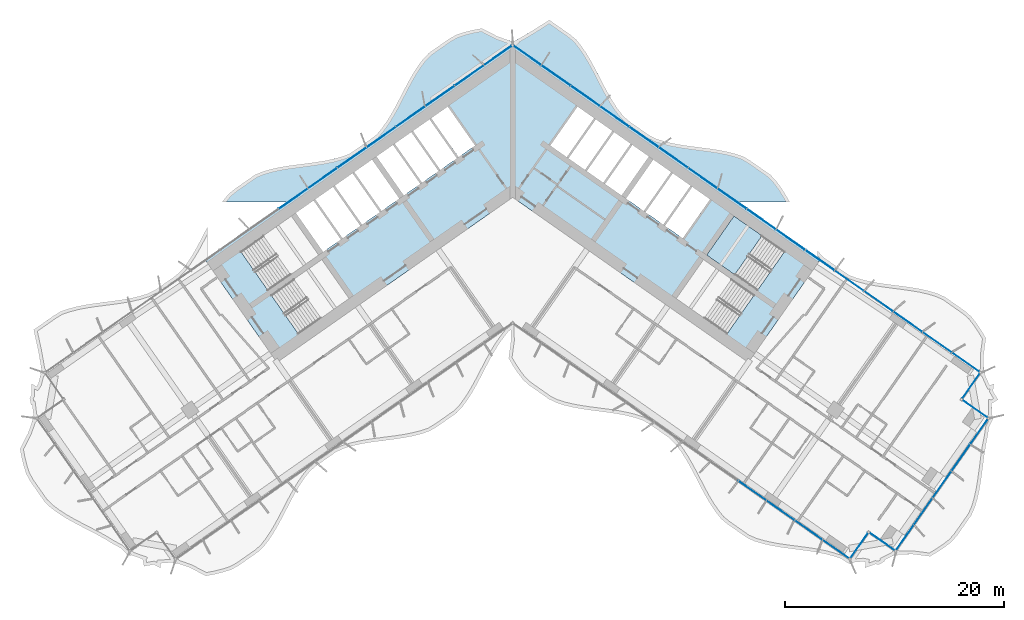
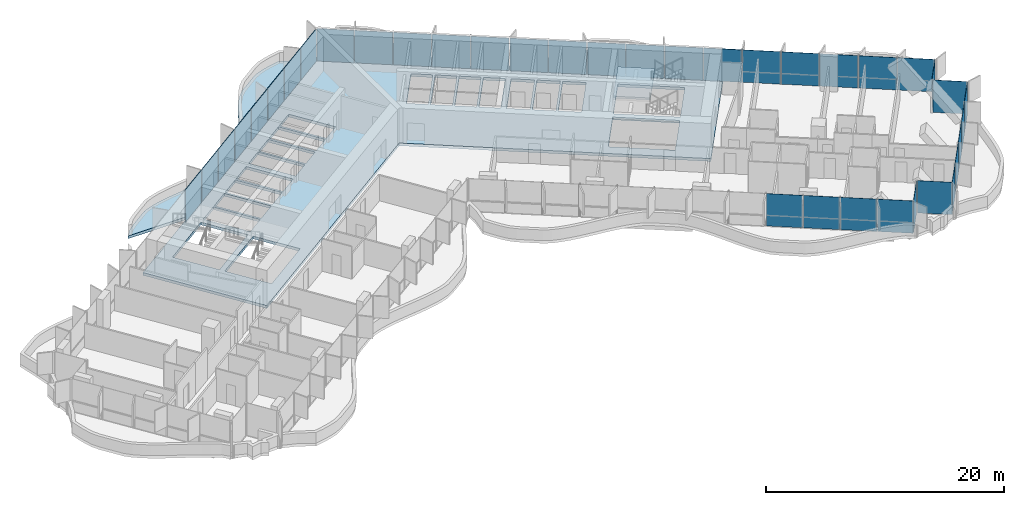
# One storey, part 12 of 24: 37 plates, 3 slabs, 3 elements without a shape of their own.
"""IFC4 building model written with IfcOpenShell, lengths in metres."""

import ifcopenshell
import ifcopenshell.guid

model = None  # the IFC model being written
_history = None  # IfcOwnerHistory: only IFC2X3 demands one
_inside = {}  # id of a spatial element -> (the spatial element, [elements in it])
_under = {}  # id of a project, library or spatial element -> (it, [spatial elements below it])
_declared = {}  # id of a project -> (the project, [libraries it declares])
_typed = {}  # id of a type object -> (the type object, [elements of that type])
_made_of = {}  # id of a material, layer set ... -> (it, [elements and type objects made of it])


def new_model(schema):
    """Start an empty IFC model of exactly this schema.

    Asked for "IFC4X3", IfcOpenShell would pick the latest addendum, in which some entities
    have other attributes; the version numbers below select the first issue.
    IFC2X3 requires an IfcOwnerHistory on every rooted entity: one is made here for all.
    """
    global model, _history
    if schema == "IFC4X3":
        model = ifcopenshell.file(schema_version=(4, 3, 0, 0))
    else:
        model = ifcopenshell.file(schema=schema)
    _inside.clear()
    _under.clear()
    _declared.clear()
    _typed.clear()
    _made_of.clear()
    _history = None
    if model.schema == "IFC2X3":
        org = make("IfcOrganization", Name="unknown")
        user = make(
            "IfcPersonAndOrganization",
            ThePerson=make("IfcPerson", FamilyName="unknown"),
            TheOrganization=org,
        )
        app = make(
            "IfcApplication",
            ApplicationDeveloper=org,
            Version="unknown",
            ApplicationFullName="unknown",
            ApplicationIdentifier="unknown",
        )
        _history = make(
            "IfcOwnerHistory",
            OwningUser=user,
            OwningApplication=app,
            ChangeAction="ADDED",
            CreationDate=0,
        )
    return model


def make(cls, **values):
    """One entity of the class cls with the attributes given. An attribute that is None is left unset."""
    return model.create_entity(
        cls, **{name: value for name, value in values.items() if value is not None}
    )


def rooted(cls, **values):
    """An entity with a GlobalId (a new one), such as an element, a storey or a relation."""
    return make(cls, GlobalId=ifcopenshell.guid.new(), OwnerHistory=_history, **values)


def si_unit(unit_type, name, prefix=None):
    """IfcSIUnit, for example si_unit("LENGTHUNIT", "METRE", prefix="MILLI")."""
    return make("IfcSIUnit", UnitType=unit_type, Prefix=prefix, Name=name)


def assignment(units):
    """IfcUnitAssignment: the units of a project."""
    return None if units is None else make("IfcUnitAssignment", Units=units)


def point(xyz):
    """IfcCartesianPoint."""
    return None if xyz is None else make("IfcCartesianPoint", Coordinates=xyz)


def direction(xyz):
    """IfcDirection."""
    return None if xyz is None else make("IfcDirection", DirectionRatios=xyz)


def frame(location, z_axis=None, x_axis=None):
    """IfcAxis2Placement3D, a coordinate frame: its origin and axes. An axis left out is left unset."""
    return make(
        "IfcAxis2Placement3D",
        Location=point(location),
        Axis=direction(z_axis),
        RefDirection=direction(x_axis),
    )


def frame_2d(location, x_axis=None):
    """IfcAxis2Placement2D, a coordinate frame in the plane: its origin and x axis."""
    return make(
        "IfcAxis2Placement2D", Location=point(location), RefDirection=direction(x_axis)
    )


def origin():
    """The frame at (0, 0, 0) with its axes left unset."""
    return frame((0.0, 0.0, 0.0))


def origin_2d():
    """The frame at (0, 0) in the plane with its x axis left unset."""
    return frame_2d((0.0, 0.0))


def place(relative_to, where):
    """IfcLocalPlacement: puts the frame where relative to a parent placement (None: the world)."""
    return make(
        "IfcLocalPlacement", PlacementRelTo=relative_to, RelativePlacement=where
    )


def context(
    kind, dimensions, precision=None, world=None, true_north=None, identifier=None
):
    """IfcGeometricRepresentationContext, for example the 3D "Model" context."""
    return make(
        "IfcGeometricRepresentationContext",
        ContextIdentifier=identifier,
        ContextType=kind,
        CoordinateSpaceDimension=dimensions,
        Precision=precision,
        WorldCoordinateSystem=world,
        TrueNorth=true_north,
    )


def subcontext(parent, identifier, kind, view, scale=None):
    """IfcGeometricRepresentationSubContext, for example "Body" below "Model"."""
    return make(
        "IfcGeometricRepresentationSubContext",
        ContextIdentifier=identifier,
        ContextType=kind,
        ParentContext=parent,
        TargetScale=scale,
        TargetView=view,
    )


def project(units=None, contexts=None):
    """IfcProject with its units and contexts."""
    return rooted(
        "IfcProject",
        Name="project",
        RepresentationContexts=contexts,
        UnitsInContext=assignment(units),
    )


def spatial(cls, under=None, at=None, **own):
    """A site, building, storey or space (cls), placed at a placement, below another one or the project."""
    s = rooted(cls, ObjectPlacement=at, **own)
    if under is not None:
        _under.setdefault(under.id(), (under, []))[1].append(s)
    return s


def polyline(points):
    """IfcPolyline through the points."""
    return make("IfcPolyline", Points=[point(p) for p in points])


def profile(cls, at=None, kind="AREA", **sizes):
    """A parametric profile (cls). Its sizes go by their IFC names, for example OverallWidth=200.0."""
    return make(cls, ProfileType=kind, Position=at, **sizes)


def rectangle(**sizes):
    """IfcRectangleProfileDef."""
    return profile("IfcRectangleProfileDef", **sizes)


def outline(outer, holes=None, kind="AREA"):
    """IfcArbitraryClosedProfileDef: a profile drawn as a closed curve; with holes, ...WithVoids."""
    if holes is None:
        return make("IfcArbitraryClosedProfileDef", ProfileType=kind, OuterCurve=outer)
    return make(
        "IfcArbitraryProfileDefWithVoids",
        ProfileType=kind,
        OuterCurve=outer,
        InnerCurves=holes,
    )


def extrude(swept, where, along, depth):
    """IfcExtrudedAreaSolid: the profile swept, set in the frame where, extruded along a direction by depth."""
    return make(
        "IfcExtrudedAreaSolid",
        SweptArea=swept,
        Position=where,
        ExtrudedDirection=direction(along),
        Depth=depth,
    )


def shape(context_of_items, identifier, shape_type, items):
    """IfcShapeRepresentation: the items that make up one representation, for example the "Body"."""
    return make(
        "IfcShapeRepresentation",
        ContextOfItems=context_of_items,
        RepresentationIdentifier=identifier,
        RepresentationType=shape_type,
        Items=items,
    )


def material(Name=None, Category=None):
    """IfcMaterial."""
    return make("IfcMaterial", Name=Name, Category=Category)


def layer(
    of_material, thickness, ventilated=None, Name=None, Category=None, Priority=None
):
    """IfcMaterialLayer: one layer of a wall or slab, of a material (None: an air gap)."""
    return make(
        "IfcMaterialLayer",
        Material=of_material,
        LayerThickness=thickness,
        IsVentilated=ventilated,
        Name=Name,
        Category=Category,
        Priority=Priority,
    )


def layer_set(layers, Name=None):
    """IfcMaterialLayerSet."""
    return make("IfcMaterialLayerSet", MaterialLayers=layers, LayerSetName=Name)


def made_of(thing, what):
    """Note that an element or type object is made of a material, layer set ...; save() writes the relation."""
    if what is not None:
        _made_of.setdefault(what.id(), (what, []))[1].append(thing)
    return thing


def type_object(cls, material=None, **own):
    """A type object (cls), such as IfcWallType, which elements share."""
    return made_of(rooted(cls, **own), material)


def element(
    cls,
    number,
    at=None,
    inside=None,
    cuts=None,
    type_object=None,
    material=None,
    context=None,
    identifier="Body",
    shape_type=None,
    held_by="IfcProductDefinitionShape",
    body=None,
    shapes=None,
    **own,
):
    """One element of the class cls, such as IfcWall. Its Tag is "e" and its number.

    at: its placement. inside: the storey or other place that contains it. cuts: it is an
    opening in that element (IfcRelVoidsElement). A single representation is given by context,
    identifier, shape_type and body (its items); several are given by shapes. held_by: the class
    of the entity that holds the representations. save() writes the other relations.
    """
    e = rooted(cls, Tag="e%d" % number, ObjectPlacement=at, **own)
    if body is not None:
        shapes = [shape(context, identifier, shape_type, body)]
    if shapes is not None:
        e.Representation = make(held_by, Representations=shapes)
    if inside is not None:
        _inside.setdefault(inside.id(), (inside, []))[1].append(e)
    if cuts is not None:
        rooted(
            "IfcRelVoidsElement", RelatingBuildingElement=cuts, RelatedOpeningElement=e
        )
    if type_object is not None:
        _typed.setdefault(type_object.id(), (type_object, []))[1].append(e)
    return made_of(e, material)


def aggregate(whole, parts):
    """IfcRelAggregates: a whole, such as a stair, and the parts it consists of."""
    return rooted("IfcRelAggregates", RelatingObject=whole, RelatedObjects=parts)


def save(model, path):
    """Write the relations noted so far, then the file.

    IfcRelAggregates (storeys below a building ...), IfcRelContainedInSpatialStructure (elements
    in a storey), IfcRelDefinesByType, IfcRelAssociatesMaterial and IfcRelDeclares: one each for
    every whole, place, type object, material and project.
    """
    for whole, parts in _under.values():
        aggregate(whole, parts)
    for where, things in _inside.values():
        rooted(
            "IfcRelContainedInSpatialStructure",
            RelatedElements=things,
            RelatingStructure=where,
        )
    for kind, things in _typed.values():
        rooted("IfcRelDefinesByType", RelatedObjects=things, RelatingType=kind)
    for what, things in _made_of.values():
        rooted("IfcRelAssociatesMaterial", RelatedObjects=things, RelatingMaterial=what)
    for by, libraries in _declared.values():
        rooted("IfcRelDeclares", RelatingContext=by, RelatedDefinitions=libraries)
    model.write(path)


model = new_model("IFC4")

# Units and contexts
model_context = context("Model", 3, precision=1e-05, world=origin(), true_north=direction((0.0, 1.0)))
body_context = subcontext(model_context, "Body", "Model", "MODEL_VIEW")
ifc_project = project(units=[si_unit("LENGTHUNIT", "METRE"), si_unit("AREAUNIT", "SQUARE_METRE"), si_unit("VOLUMEUNIT", "CUBIC_METRE"), si_unit("PLANEANGLEUNIT", "RADIAN"), si_unit("MASSUNIT", "GRAM", prefix="KILO")], contexts=[model_context])

# Site, building, storey
site_placement = place(None, origin())
site = spatial("IfcSite", under=ifc_project, at=site_placement, CompositionType="ELEMENT")
building_placement = place(site_placement, origin())
building = spatial("IfcBuilding", under=site, at=building_placement, Name="Tel Ilan Convention Tower", CompositionType="ELEMENT")
storey_placement = place(building_placement, frame((0.0, 0.0, 72.5)))
storey = spatial("IfcBuildingStorey", under=building, at=storey_placement, Name="L13", CompositionType="ELEMENT", Elevation=72.5)

# Curtain wall, plates
ifc_material_1 = material(Name="Aluminium, bronze anodised", Category="aluminium")
curtain_wall_type_1 = type_object("IfcCurtainWallType", Name="CW1 UNITISED CURTAIN WALL, HOTEL TINTED GLASS", PredefinedType="NOTDEFINED", material=ifc_material_1)
curtain_wall_1_placement = place(storey_placement, origin())
curtain_wall_1 = element("IfcCurtainWall", 1, at=curtain_wall_1_placement, inside=storey, type_object=curtain_wall_type_1, Name="Curtain wall CW1-13.02", PredefinedType="NOTDEFINED")
ifc_material_2 = material(Name="Glass, bronze tinted, two-ply unitised", Category="glass")
ifc_layer_1 = layer(ifc_material_2, 0.028076171875)
ifc_layer_set_1 = layer_set([ifc_layer_1], Name="CW HOTEL GLASS PANEL 28")
plate_type_1 = type_object("IfcPlateType", Name="CW HOTEL GLASS PANEL 28", PredefinedType="CURTAIN_PANEL", material=ifc_layer_set_1)
plate_1_placement = place(storey_placement, frame((21.90185546875, -28.031982421875, 0.0), z_axis=(0.0, 0.0, 1.0), x_axis=(0.819152044289, -0.573576436351, 0.0)))
plate_1 = element("IfcPlate", 2, at=plate_1_placement, type_object=plate_type_1, Name="Glass panel", PredefinedType="CURTAIN_PANEL", context=body_context, shape_type="SweptSolid", body=[
    extrude(rectangle(XDim=3.077392578125, YDim=0.028076171875, at=origin_2d()), origin(), (0.0, 0.0, 1.0), 3.320068359375),
])
plate_2_placement = place(storey_placement, frame((24.4716796875, -29.831298828125, 0.0), z_axis=(0.0, 0.0, 1.0), x_axis=(0.819152044289, -0.573576436351, 0.0)))
plate_2 = element("IfcPlate", 3, at=plate_2_placement, type_object=plate_type_1, Name="Glass panel", PredefinedType="CURTAIN_PANEL", context=body_context, shape_type="SweptSolid", body=[
    extrude(rectangle(XDim=3.077392578125, YDim=0.028076171875, at=origin_2d()), origin(), (0.0, 0.0, 1.0), 3.320068359375),
])
plate_3_placement = place(storey_placement, frame((27.041748046875, -31.630859375, 0.0), z_axis=(0.0, 0.0, 1.0), x_axis=(0.819152044289, -0.573576436351, 0.0)))
plate_3 = element("IfcPlate", 4, at=plate_3_placement, type_object=plate_type_1, Name="Glass panel", PredefinedType="CURTAIN_PANEL", context=body_context, shape_type="SweptSolid", body=[
    extrude(rectangle(XDim=3.077392578125, YDim=0.028076171875, at=origin_2d()), origin(), (0.0, 0.0, 1.0), 3.320068359375),
])
plate_4_placement = place(storey_placement, frame((29.5732421875, -33.4033203125, 0.0), z_axis=(0.0, 0.0, 1.0), x_axis=(0.819152044289, -0.573576436351, 0.0)))
plate_4 = element("IfcPlate", 5, at=plate_4_placement, type_object=plate_type_1, Name="Glass panel", PredefinedType="CURTAIN_PANEL", context=body_context, shape_type="SweptSolid", body=[
    extrude(rectangle(XDim=2.9833984375, YDim=0.028076171875, at=origin_2d()), origin(), (0.0, 0.0, 1.0), 3.320068359375),
])
plate_5_placement = place(storey_placement, frame((31.653076171875, -33.07568359375, 0.0), z_axis=(0.0, 0.0, 1.0), x_axis=(0.573576436351, 0.819152044289, 0.0)))
plate_5 = element("IfcPlate", 6, at=plate_5_placement, type_object=plate_type_1, Name="Glass panel", PredefinedType="CURTAIN_PANEL", context=body_context, shape_type="SweptSolid", body=[
    extrude(rectangle(XDim=2.875, YDim=0.028076171875, at=origin_2d()), origin(), (0.0, 0.0, 1.0), 3.320068359375),
])
plate_6_placement = place(storey_placement, frame((33.795654296875, -32.69775390625, 0.0), z_axis=(0.0, 0.0, 1.0), x_axis=(0.819152044289, -0.573576436351, 0.0)))
plate_6 = element("IfcPlate", 7, at=plate_6_placement, type_object=plate_type_1, Name="Glass panel", PredefinedType="CURTAIN_PANEL", context=body_context, shape_type="SweptSolid", body=[
    extrude(rectangle(XDim=2.875, YDim=0.028076171875, at=origin_2d()), origin(), (0.0, 0.0, 1.0), 3.320068359375),
])
plate_7_placement = place(storey_placement, frame((35.822998046875, -32.350830078125, 0.0), z_axis=(0.0, 0.0, 1.0), x_axis=(0.573576436351, 0.819152044289, 0.0)))
plate_7 = element("IfcPlate", 8, at=plate_7_placement, type_object=plate_type_1, Name="Glass panel", PredefinedType="CURTAIN_PANEL", context=body_context, shape_type="SweptSolid", body=[
    extrude(rectangle(XDim=2.845947265625, YDim=0.028076171875, at=origin_2d()), origin(), (0.0, 0.0, 1.0), 3.320068359375),
])
plate_8_placement = place(storey_placement, frame((37.5166015625, -29.931884765625, 0.0), z_axis=(0.0, 0.0, 1.0), x_axis=(0.573576436351, 0.819152044289, 0.0)))
plate_8 = element("IfcPlate", 9, at=plate_8_placement, type_object=plate_type_1, Name="Glass panel", PredefinedType="CURTAIN_PANEL", context=body_context, shape_type="SweptSolid", body=[
    extrude(rectangle(XDim=2.93994140625, YDim=0.028076171875, at=origin_2d()), origin(), (0.0, 0.0, 1.0), 3.320068359375),
])
plate_9_placement = place(storey_placement, frame((39.2373046875, -27.474365234375, 0.0), z_axis=(0.0, 0.0, 1.0), x_axis=(0.573576436351, 0.819152044289, 0.0)))
plate_9 = element("IfcPlate", 10, at=plate_9_placement, type_object=plate_type_1, Name="Glass panel", PredefinedType="CURTAIN_PANEL", context=body_context, shape_type="SweptSolid", body=[
    extrude(rectangle(XDim=2.93994140625, YDim=0.028076171875, at=origin_2d()), origin(), (0.0, 0.0, 1.0), 3.320068359375),
])
plate_10_placement = place(storey_placement, frame((40.9580078125, -25.016845703125, 0.0), z_axis=(0.0, 0.0, 1.0), x_axis=(0.573576436351, 0.819152044289, 0.0)))
plate_10 = element("IfcPlate", 11, at=plate_10_placement, type_object=plate_type_1, Name="Glass panel", PredefinedType="CURTAIN_PANEL", context=body_context, shape_type="SweptSolid", body=[
    extrude(rectangle(XDim=2.93994140625, YDim=0.028076171875, at=origin_2d()), origin(), (0.0, 0.0, 1.0), 3.320068359375),
])
plate_11_placement = place(storey_placement, frame((42.65185546875, -22.597900390625, 0.0), z_axis=(0.0, 0.0, 1.0), x_axis=(0.573576436351, 0.819152044289, 0.0)))
plate_11 = element("IfcPlate", 12, at=plate_11_placement, type_object=plate_type_1, Name="Glass panel", PredefinedType="CURTAIN_PANEL", context=body_context, shape_type="SweptSolid", body=[
    extrude(rectangle(XDim=2.845947265625, YDim=0.028076171875, at=origin_2d()), origin(), (0.0, 0.0, 1.0), 3.320068359375),
])
plate_12_placement = place(storey_placement, frame((42.28466796875, -20.57421875, 0.0), z_axis=(0.0, 0.0, 1.0), x_axis=(-0.819152044289, 0.573576436351, 0.0)))
plate_12 = element("IfcPlate", 13, at=plate_12_placement, type_object=plate_type_1, Name="Glass panel", PredefinedType="CURTAIN_PANEL", context=body_context, shape_type="SweptSolid", body=[
    extrude(rectangle(XDim=2.875, YDim=0.028076171875, at=origin_2d()), origin(), (0.0, 0.0, 1.0), 3.320068359375),
])
plate_13_placement = place(storey_placement, frame((41.90673828125, -18.431640625, 0.0), z_axis=(0.0, 0.0, 1.0), x_axis=(0.573576436351, 0.819152044289, 0.0)))
plate_13 = element("IfcPlate", 14, at=plate_13_placement, type_object=plate_type_1, Name="Glass panel", PredefinedType="CURTAIN_PANEL", context=body_context, shape_type="SweptSolid", body=[
    extrude(rectangle(XDim=2.875, YDim=0.028076171875, at=origin_2d()), origin(), (0.0, 0.0, 1.0), 3.320068359375),
])
plate_14_placement = place(storey_placement, frame((41.448486328125, -16.326416015625, 0.0), z_axis=(0.0, 0.0, 1.0), x_axis=(-0.819152044289, 0.573576436351, 0.0)))
plate_14 = element("IfcPlate", 15, at=plate_14_placement, type_object=plate_type_1, Name="Glass panel", PredefinedType="CURTAIN_PANEL", context=body_context, shape_type="SweptSolid", body=[
    extrude(rectangle(XDim=3.117919921875, YDim=0.028076171875, at=origin_2d()), origin(), (0.0, 0.0, 1.0), 3.320068359375),
])
plate_15_placement = place(storey_placement, frame((38.806640625, -14.4765625, 0.0), z_axis=(0.0, 0.0, 1.0), x_axis=(-0.819152044289, 0.573576436351, 0.0)))
plate_15 = element("IfcPlate", 16, at=plate_15_placement, type_object=plate_type_1, Name="Glass panel", PredefinedType="CURTAIN_PANEL", context=body_context, shape_type="SweptSolid", body=[
    extrude(rectangle(XDim=3.2119140625, YDim=0.028076171875, at=origin_2d()), origin(), (0.0, 0.0, 1.0), 3.320068359375),
])
plate_16_placement = place(storey_placement, frame((36.12646484375, -12.599853515625, 0.0), z_axis=(0.0, 0.0, 1.0), x_axis=(-0.819152044289, 0.573576436351, 0.0)))
plate_16 = element("IfcPlate", 17, at=plate_16_placement, type_object=plate_type_1, Name="Glass panel", PredefinedType="CURTAIN_PANEL", context=body_context, shape_type="SweptSolid", body=[
    extrude(rectangle(XDim=3.2119140625, YDim=0.028076171875, at=origin_2d()), origin(), (0.0, 0.0, 1.0), 3.320068359375),
])
plate_17_placement = place(storey_placement, frame((33.446044921875, -10.72314453125, 0.0), z_axis=(0.0, 0.0, 1.0), x_axis=(-0.819152044289, 0.573576436351, 0.0)))
plate_17 = element("IfcPlate", 18, at=plate_17_placement, type_object=plate_type_1, Name="Glass panel", PredefinedType="CURTAIN_PANEL", context=body_context, shape_type="SweptSolid", body=[
    extrude(rectangle(XDim=3.2119140625, YDim=0.028076171875, at=origin_2d()), origin(), (0.0, 0.0, 1.0), 3.320068359375),
])
plate_18_placement = place(storey_placement, frame((30.765869140625, -8.846435546875, 0.0), z_axis=(0.0, 0.0, 1.0), x_axis=(-0.819152044289, 0.573576436351, 0.0)))
plate_18 = element("IfcPlate", 19, at=plate_18_placement, type_object=plate_type_1, Name="Glass panel", PredefinedType="CURTAIN_PANEL", context=body_context, shape_type="SweptSolid", body=[
    extrude(rectangle(XDim=3.2119140625, YDim=0.028076171875, at=origin_2d()), origin(), (0.0, 0.0, 1.0), 3.320068359375),
])
aggregate(curtain_wall_1, [plate_1, plate_2, plate_3, plate_4, plate_5, plate_6, plate_7, plate_8, plate_9, plate_10, plate_11, plate_12, plate_13, plate_14, plate_15, plate_16, plate_17, plate_18])

ifc_material_3 = material(Name="Aluminium, bronze anodised", Category="aluminium")
curtain_wall_type_2 = type_object("IfcCurtainWallType", Name="CW2 STICK CURTAIN WALL, SPANDREL PANELS", PredefinedType="NOTDEFINED", material=ifc_material_3)
curtain_wall_2_placement = place(storey_placement, origin())
curtain_wall_2 = element("IfcCurtainWall", 20, at=curtain_wall_2_placement, inside=storey, type_object=curtain_wall_type_2, Name="Curtain wall CW2-13.01", PredefinedType="NOTDEFINED")
ifc_material_4 = material(Name="Aluminium composite panel, bronze anodised", Category="aluminium")
ifc_layer_2 = layer(ifc_material_4, 0.06005859375)
ifc_layer_set_2 = layer_set([ifc_layer_2], Name="CW SPANDREL PANEL 60")
plate_type_2 = type_object("IfcPlateType", Name="CW SPANDREL PANEL 60", PredefinedType="CURTAIN_PANEL", material=ifc_layer_set_2)
plate_19_placement = place(storey_placement, frame((28.08544921875, -6.9697265625, 0.0), z_axis=(0.0, 0.0, 1.0), x_axis=(-0.819152044289, 0.573576436351, 0.0)))
plate_19 = element("IfcPlate", 21, at=plate_19_placement, type_object=plate_type_2, Name="Spandrel panel", PredefinedType="CURTAIN_PANEL", context=body_context, shape_type="SweptSolid", body=[
    extrude(rectangle(XDim=3.2119140625, YDim=0.06005859375, at=origin_2d()), origin(), (0.0, 0.0, 1.0), 3.320068359375),
])
plate_20_placement = place(storey_placement, frame((25.4052734375, -5.0927734375, 0.0), z_axis=(0.0, 0.0, 1.0), x_axis=(-0.819152044289, 0.573576436351, 0.0)))
plate_20 = element("IfcPlate", 22, at=plate_20_placement, type_object=plate_type_2, Name="Spandrel panel", PredefinedType="CURTAIN_PANEL", context=body_context, shape_type="SweptSolid", body=[
    extrude(rectangle(XDim=3.2119140625, YDim=0.06005859375, at=origin_2d()), origin(), (0.0, 0.0, 1.0), 3.320068359375),
])
plate_21_placement = place(storey_placement, frame((22.72509765625, -3.216064453125, 0.0), z_axis=(0.0, 0.0, 1.0), x_axis=(-0.819152044289, 0.573576436351, 0.0)))
plate_21 = element("IfcPlate", 23, at=plate_21_placement, type_object=plate_type_2, Name="Spandrel panel", PredefinedType="CURTAIN_PANEL", context=body_context, shape_type="SweptSolid", body=[
    extrude(rectangle(XDim=3.2119140625, YDim=0.06005859375, at=origin_2d()), origin(), (0.0, 0.0, 1.0), 3.320068359375),
])
plate_22_placement = place(storey_placement, frame((20.044677734375, -1.33935546875, 0.0), z_axis=(0.0, 0.0, 1.0), x_axis=(-0.819152044289, 0.573576436351, 0.0)))
plate_22 = element("IfcPlate", 24, at=plate_22_placement, type_object=plate_type_2, Name="Spandrel panel", PredefinedType="CURTAIN_PANEL", context=body_context, shape_type="SweptSolid", body=[
    extrude(rectangle(XDim=3.2119140625, YDim=0.06005859375, at=origin_2d()), origin(), (0.0, 0.0, 1.0), 3.320068359375),
])
plate_23_placement = place(storey_placement, frame((17.364501953125, 0.537353515625, 0.0), z_axis=(0.0, 0.0, 1.0), x_axis=(-0.819152044289, 0.573576436351, 0.0)))
plate_23 = element("IfcPlate", 25, at=plate_23_placement, type_object=plate_type_2, Name="Spandrel panel", PredefinedType="CURTAIN_PANEL", context=body_context, shape_type="SweptSolid", body=[
    extrude(rectangle(XDim=3.2119140625, YDim=0.06005859375, at=origin_2d()), origin(), (0.0, 0.0, 1.0), 3.320068359375),
])
plate_24_placement = place(storey_placement, frame((14.68408203125, 2.4140625, 0.0), z_axis=(0.0, 0.0, 1.0), x_axis=(-0.819152044289, 0.573576436351, 0.0)))
plate_24 = element("IfcPlate", 26, at=plate_24_placement, type_object=plate_type_2, Name="Spandrel panel", PredefinedType="CURTAIN_PANEL", context=body_context, shape_type="SweptSolid", body=[
    extrude(rectangle(XDim=3.2119140625, YDim=0.06005859375, at=origin_2d()), origin(), (0.0, 0.0, 1.0), 3.320068359375),
])
plate_25_placement = place(storey_placement, frame((12.00390625, 4.290771484375, 0.0), z_axis=(0.0, 0.0, 1.0), x_axis=(-0.819152044289, 0.573576436351, 0.0)))
plate_25 = element("IfcPlate", 27, at=plate_25_placement, type_object=plate_type_2, Name="Spandrel panel", PredefinedType="CURTAIN_PANEL", context=body_context, shape_type="SweptSolid", body=[
    extrude(rectangle(XDim=3.2119140625, YDim=0.06005859375, at=origin_2d()), origin(), (0.0, 0.0, 1.0), 3.320068359375),
])
plate_26_placement = place(storey_placement, frame((9.323486328125, 6.16748046875, 0.0), z_axis=(0.0, 0.0, 1.0), x_axis=(-0.819152044289, 0.573576436351, 0.0)))
plate_26 = element("IfcPlate", 28, at=plate_26_placement, type_object=plate_type_2, Name="Spandrel panel", PredefinedType="CURTAIN_PANEL", context=body_context, shape_type="SweptSolid", body=[
    extrude(rectangle(XDim=3.2119140625, YDim=0.06005859375, at=origin_2d()), origin(), (0.0, 0.0, 1.0), 3.320068359375),
])
plate_27_placement = place(storey_placement, frame((6.643310546875, 8.04443359375, 0.0), z_axis=(0.0, 0.0, 1.0), x_axis=(-0.819152044289, 0.573576436351, 0.0)))
plate_27 = element("IfcPlate", 29, at=plate_27_placement, type_object=plate_type_2, Name="Spandrel panel", PredefinedType="CURTAIN_PANEL", context=body_context, shape_type="SweptSolid", body=[
    extrude(rectangle(XDim=3.2119140625, YDim=0.06005859375, at=origin_2d()), origin(), (0.0, 0.0, 1.0), 3.320068359375),
])
plate_28_placement = place(storey_placement, frame((3.963134765625, 9.921142578125, 0.0), z_axis=(0.0, 0.0, 1.0), x_axis=(-0.819152044289, 0.573576436351, 0.0)))
plate_28 = element("IfcPlate", 30, at=plate_28_placement, type_object=plate_type_2, Name="Spandrel panel", PredefinedType="CURTAIN_PANEL", context=body_context, shape_type="SweptSolid", body=[
    extrude(rectangle(XDim=3.2119140625, YDim=0.06005859375, at=origin_2d()), origin(), (0.0, 0.0, 1.0), 3.320068359375),
])
plate_29_placement = place(storey_placement, frame((1.327880859375, 11.766357421875, 0.0), z_axis=(0.0, 0.0, 1.0), x_axis=(-0.819152044289, 0.573576436351, 0.0)))
plate_29 = element("IfcPlate", 31, at=plate_29_placement, type_object=plate_type_2, Name="Spandrel panel", PredefinedType="CURTAIN_PANEL", context=body_context, shape_type="SweptSolid", body=[
    extrude(rectangle(XDim=3.10205078125, YDim=0.06005859375, at=origin_2d()), origin(), (0.0, 0.0, 1.0), 3.320068359375),
])
plate_30_placement = place(storey_placement, frame((-1.327880859375, 11.766357421875, 0.0), z_axis=(0.0, 0.0, 1.0), x_axis=(-0.819152044289, -0.573576436351, 0.0)))
plate_30 = element("IfcPlate", 32, at=plate_30_placement, type_object=plate_type_2, Name="Spandrel panel", PredefinedType="CURTAIN_PANEL", context=body_context, shape_type="SweptSolid", body=[
    extrude(rectangle(XDim=3.10205078125, YDim=0.06005859375, at=origin_2d()), origin(), (0.0, 0.0, 1.0), 3.320068359375),
])
plate_31_placement = place(storey_placement, frame((-3.963134765625, 9.921142578125, 0.0), z_axis=(0.0, 0.0, 1.0), x_axis=(-0.819152044289, -0.573576436351, 0.0)))
plate_31 = element("IfcPlate", 33, at=plate_31_placement, type_object=plate_type_2, Name="Spandrel panel", PredefinedType="CURTAIN_PANEL", context=body_context, shape_type="SweptSolid", body=[
    extrude(rectangle(XDim=3.2119140625, YDim=0.06005859375, at=origin_2d()), origin(), (0.0, 0.0, 1.0), 3.320068359375),
])
plate_32_placement = place(storey_placement, frame((-6.643310546875, 8.04443359375, 0.0), z_axis=(0.0, 0.0, 1.0), x_axis=(-0.819152044289, -0.573576436351, 0.0)))
plate_32 = element("IfcPlate", 34, at=plate_32_placement, type_object=plate_type_2, Name="Spandrel panel", PredefinedType="CURTAIN_PANEL", context=body_context, shape_type="SweptSolid", body=[
    extrude(rectangle(XDim=3.2119140625, YDim=0.06005859375, at=origin_2d()), origin(), (0.0, 0.0, 1.0), 3.320068359375),
])
plate_33_placement = place(storey_placement, frame((-9.323486328125, 6.16748046875, 0.0), z_axis=(0.0, 0.0, 1.0), x_axis=(-0.819152044289, -0.573576436351, 0.0)))
plate_33 = element("IfcPlate", 35, at=plate_33_placement, type_object=plate_type_2, Name="Spandrel panel", PredefinedType="CURTAIN_PANEL", context=body_context, shape_type="SweptSolid", body=[
    extrude(rectangle(XDim=3.2119140625, YDim=0.06005859375, at=origin_2d()), origin(), (0.0, 0.0, 1.0), 3.320068359375),
])
plate_34_placement = place(storey_placement, frame((-12.00390625, 4.290771484375, 0.0), z_axis=(0.0, 0.0, 1.0), x_axis=(-0.819152044289, -0.573576436351, 0.0)))
plate_34 = element("IfcPlate", 36, at=plate_34_placement, type_object=plate_type_2, Name="Spandrel panel", PredefinedType="CURTAIN_PANEL", context=body_context, shape_type="SweptSolid", body=[
    extrude(rectangle(XDim=3.2119140625, YDim=0.06005859375, at=origin_2d()), origin(), (0.0, 0.0, 1.0), 3.320068359375),
])
plate_35_placement = place(storey_placement, frame((-14.68408203125, 2.4140625, 0.0), z_axis=(0.0, 0.0, 1.0), x_axis=(-0.819152044289, -0.573576436351, 0.0)))
plate_35 = element("IfcPlate", 37, at=plate_35_placement, type_object=plate_type_2, Name="Spandrel panel", PredefinedType="CURTAIN_PANEL", context=body_context, shape_type="SweptSolid", body=[
    extrude(rectangle(XDim=3.2119140625, YDim=0.06005859375, at=origin_2d()), origin(), (0.0, 0.0, 1.0), 3.320068359375),
])
plate_36_placement = place(storey_placement, frame((-17.364501953125, 0.537353515625, 0.0), z_axis=(0.0, 0.0, 1.0), x_axis=(-0.819152044289, -0.573576436351, 0.0)))
plate_36 = element("IfcPlate", 38, at=plate_36_placement, type_object=plate_type_2, Name="Spandrel panel", PredefinedType="CURTAIN_PANEL", context=body_context, shape_type="SweptSolid", body=[
    extrude(rectangle(XDim=3.2119140625, YDim=0.06005859375, at=origin_2d()), origin(), (0.0, 0.0, 1.0), 3.320068359375),
])
plate_37_placement = place(storey_placement, frame((-20.044677734375, -1.33935546875, 0.0), z_axis=(0.0, 0.0, 1.0), x_axis=(-0.819152044289, -0.573576436351, 0.0)))
plate_37 = element("IfcPlate", 39, at=plate_37_placement, type_object=plate_type_2, Name="Spandrel panel", PredefinedType="CURTAIN_PANEL", context=body_context, shape_type="SweptSolid", body=[
    extrude(rectangle(XDim=3.2119140625, YDim=0.06005859375, at=origin_2d()), origin(), (0.0, 0.0, 1.0), 3.320068359375),
])
aggregate(curtain_wall_2, [plate_19, plate_20, plate_21, plate_22, plate_23, plate_24, plate_25, plate_26, plate_27, plate_28, plate_29, plate_30, plate_31, plate_32, plate_33, plate_34, plate_35, plate_36, plate_37])

# Stair, slab
ifc_material_5 = material(Name="Concrete C40/50", Category="concrete")
stair_type = type_object("IfcStairType", Name="Pressurised Exit Stair 20 risers 180 mm", PredefinedType="HALF_TURN_STAIR", material=ifc_material_5)
stair_placement = place(storey_placement, origin())
stair = element("IfcStair", 40, at=stair_placement, inside=storey, type_object=stair_type, Name="L13 Pressurised Stair S3", PredefinedType="HALF_TURN_STAIR")
ifc_material_6 = material(Name="Concrete C40/50", Category="concrete")
ifc_layer_3 = layer(ifc_material_6, 0.199951171875)
ifc_layer_set_3 = layer_set([ifc_layer_3], Name="Concrete Stair Landing 200 mm C40/50")
slab_type_1 = type_object("IfcSlabType", Name="Concrete Stair Landing 200 mm", PredefinedType="LANDING", material=ifc_layer_set_3)
slab_1_placement = place(storey_placement, frame((0.0, 0.0, 1.60009765625)))
slab_1 = element("IfcSlab", 41, at=slab_1_placement, type_object=slab_type_1, Name="S3 landing 1", PredefinedType="LANDING", context=body_context, shape_type="SweptSolid", body=[
    extrude(outline(polyline([(22.791015625, -4.727294921875), (20.226318359375, -2.931640625), (17.7314453125, -6.494873046875), (20.2958984375, -8.29052734375), (22.791015625, -4.727294921875)])), origin(), (0.0, 0.0, 1.0), 0.199951171875),
])
aggregate(stair, [slab_1])

# Slabs
ifc_material_7 = material(Name="Concrete C40/50", Category="concrete")
ifc_layer_4 = layer(ifc_material_7, 0.280029296875)
ifc_layer_set_4 = layer_set([ifc_layer_4], Name="Core Floor Slab 280 mm C40/50")
slab_type_2 = type_object("IfcSlabType", Name="Core Floor Slab 280 mm C40/50", PredefinedType="FLOOR", material=ifc_layer_set_4)
slab_2_placement = place(storey_placement, frame((0.0, 0.0, -0.280029296875)))
element("IfcSlab", 42, at=slab_2_placement, inside=storey, type_object=slab_type_2, Name="L13 core floor 1", PredefinedType="FLOOR", context=body_context, shape_type="SweptSolid", body=[
    extrude(outline(polyline([(-0.2412109375, 12.6494140625), (-1.02099609375, 12.103271484375), (0.0, 12.818115234375), (28.1396484375, -6.885498046875), (21.54345703125, -16.3056640625), (0.0, -1.220703125), (-21.54345703125, -16.3056640625), (-28.1396484375, -6.885498046875), (-1.304931640625, 11.904296875), (-0.2412109375, 12.6494140625), (-6.190673828125, 8.4833984375), (-0.2412109375, 12.6494140625)]), holes=[polyline([(-14.949462890625, -10.4677734375), (-17.444580078125, -6.904541015625), (-22.072021484375, -10.144775390625), (-19.5771484375, -13.7080078125), (-14.949462890625, -10.4677734375)]), polyline([(-17.7314453125, -6.494873046875), (-20.226318359375, -2.931640625), (-24.85400390625, -6.171875), (-22.35888671875, -9.735107421875), (-17.7314453125, -6.494873046875)]), polyline([(-18.198974609375, -1.511962890625), (-19.81689453125, -2.644775390625), (-17.32177734375, -6.2080078125), (-15.7041015625, -5.0751953125), (-18.198974609375, -1.511962890625)]), polyline([(-16.41748046875, -0.264404296875), (-18.03515625, -1.397216796875), (-15.5400390625, -4.960693359375), (-13.92236328125, -3.827880859375), (-16.41748046875, -0.264404296875)]), polyline([(-14.6357421875, 0.983154296875), (-16.25341796875, -0.149658203125), (-13.758544921875, -3.712890625), (-12.140625, -2.580078125), (-14.6357421875, 0.983154296875)]), polyline([(-12.85400390625, 2.230712890625), (-14.471923828125, 1.097900390625), (-11.976806640625, -2.465576171875), (-10.35888671875, -1.332763671875), (-12.85400390625, 2.230712890625)]), polyline([(-10.939208984375, 3.5712890625), (-12.444580078125, 2.517333984375), (-9.949462890625, -1.0458984375), (-8.444091796875, 0.008056640625), (-10.939208984375, 3.5712890625)]), polyline([(-6.775146484375, 1.1767578125), (-9.270263671875, 4.739990234375), (-10.775390625, 3.68603515625), (-8.280517578125, 0.122802734375), (-6.775146484375, 1.1767578125)]), polyline([(-5.106201171875, 2.345458984375), (-7.601318359375, 5.90869140625), (-9.1064453125, 4.854736328125), (-6.611328125, 1.29150390625), (-5.106201171875, 2.345458984375)]), polyline([(-5.93212890625, 7.077392578125), (-7.4375, 6.0234375), (-4.9423828125, 2.460205078125), (-3.437255859375, 3.513916015625), (-5.93212890625, 7.077392578125)]), polyline([(17.444580078125, -6.904541015625), (14.949462890625, -10.4677734375), (19.5771484375, -13.7080078125), (22.072021484375, -10.144775390625), (17.444580078125, -6.904541015625)]), polyline([(20.226318359375, -2.931640625), (17.7314453125, -6.494873046875), (22.35888671875, -9.735107421875), (24.85400390625, -6.171875), (20.226318359375, -2.931640625)]), polyline([(13.92236328125, -3.827880859375), (15.5400390625, -4.960693359375), (18.03515625, -1.397216796875), (16.41748046875, -0.264404296875), (13.92236328125, -3.827880859375)]), polyline([(12.140625, -2.580078125), (13.758544921875, -3.712890625), (16.25341796875, -0.149658203125), (14.6357421875, 0.983154296875), (12.140625, -2.580078125)]), polyline([(11.976806640625, -2.465576171875), (14.471923828125, 1.097900390625), (12.85400390625, 2.230712890625), (10.35888671875, -1.332763671875), (11.976806640625, -2.465576171875)]), polyline([(9.949462890625, -1.0458984375), (12.444580078125, 2.517333984375), (10.939208984375, 3.5712890625), (8.444091796875, 0.008056640625), (9.949462890625, -1.0458984375)]), polyline([(8.280517578125, 0.122802734375), (10.775390625, 3.68603515625), (9.270263671875, 4.739990234375), (6.775146484375, 1.1767578125), (8.280517578125, 0.122802734375)]), polyline([(5.106201171875, 2.345458984375), (6.611328125, 1.29150390625), (9.1064453125, 4.854736328125), (7.601318359375, 5.90869140625), (5.106201171875, 2.345458984375)]), polyline([(3.437255859375, 3.513916015625), (4.9423828125, 2.460205078125), (7.4375, 6.0234375), (5.93212890625, 7.077392578125), (3.437255859375, 3.513916015625)])]), origin(), (0.0, 0.0, 1.0), 0.280029296875),
])
ifc_material_8 = material(Name="Concrete C40/50", Category="concrete")
ifc_layer_5 = layer(ifc_material_8, 0.280029296875)
ifc_layer_set_5 = layer_set([ifc_layer_5], Name="Edge Ledge Slab 280 mm C40/50")
slab_type_3 = type_object("IfcSlabType", Name="Edge Ledge Slab 280 mm C40/50", PredefinedType="FLOOR", material=ifc_layer_set_5)
slab_3_placement = place(storey_placement, frame((0.0, 0.0, -0.280029296875)))
element("IfcSlab", 43, at=slab_3_placement, inside=storey, type_object=slab_type_3, Name="L13 edge ledge 2", PredefinedType="FLOOR", context=body_context, shape_type="SweptSolid", body=[
    extrude(outline(polyline([(-23.564453125, 0.8349609375), (-22.857421875, 1.129150390625), (-22.099365234375, 1.350341796875), (-21.307861328125, 1.52392578125), (-20.490966796875, 1.661376953125), (-19.658203125, 1.77587890625), (-18.8193359375, 1.881591796875), (-17.98486328125, 1.993896484375), (-17.16455078125, 2.12646484375), (-16.368408203125, 2.29296875), (-15.60400390625, 2.50537109375), (-14.87890625, 2.773681640625), (-14.2626953125, 3.197509765625), (-13.037353515625, 4.055419921875), (-12.43994140625, 4.506103515625), (-11.945068359375, 5.103271484375), (-11.48828125, 5.755126953125), (-11.06298828125, 6.451416015625), (-10.66015625, 7.179931640625), (-10.2705078125, 7.927490234375), (-9.8837890625, 8.67919921875), (-9.489990234375, 9.42041015625), (-9.078857421875, 10.13720703125), (-8.641357421875, 10.81640625), (-8.169677734375, 11.446533203125), (-7.635986328125, 11.98828125), (-5.798095703125, 13.275146484375), (-5.14013671875, 13.639404296875), (-4.39794921875, 13.88330078125), (-3.619384765625, 14.075439453125), (-2.81201171875, 14.226318359375), (-1.382080078125, 13.48828125), (-0.172119140625, 13.06396484375), (-0.168701171875, 13.05908203125), (-0.11474609375, 13.09521484375), (0.0, 13.1181640625), (0.11474609375, 13.09521484375), (0.168701171875, 13.05908203125), (0.172119140625, 13.06396484375), (1.705810546875, 13.95068359375), (3.347412109375, 14.990966796875), (3.960205078125, 14.56201171875), (5.185302734375, 13.7041015625), (5.7705078125, 13.23583984375), (6.26025390625, 12.63134765625), (6.712646484375, 11.9736328125), (7.134765625, 11.272705078125), (7.535400390625, 10.540771484375), (7.924072265625, 9.7919921875), (8.31103515625, 9.040771484375), (8.70654296875, 8.3017578125), (9.12060546875, 7.589111328125), (9.56201171875, 6.915283203125), (10.038330078125, 6.2919921875), (10.5869140625, 5.771484375), (12.4248046875, 4.484619140625), (13.0966796875, 4.139892578125), (13.843505859375, 3.903076171875), (14.626220703125, 3.716796875), (15.4365234375, 3.570068359375), (16.265625, 3.4501953125), (17.103759765625, 3.343505859375), (17.940673828125, 3.234619140625), (18.76611328125, 3.109619140625), (19.5703125, 2.9541015625), (20.344482421875, 2.756103515625), (21.081787109375, 2.505126953125), (21.7265625, 2.121826171875), (23.564453125, 0.8349609375), (24.082763671875, 0.271240234375), (24.5498046875, -0.365478515625), (24.983642578125, -1.0498046875), (25.313232421875, -1.631591796875), (20.63623046875, -1.631591796875), (0.0, 12.818115234375), (-0.23974609375, 12.650146484375), (-1.244384765625, 11.94677734375), (-20.63623046875, -1.631591796875), (-26.5380859375, -1.631591796875), (-26.470947265625, -1.533447265625), (-25.98291015625, -0.9267578125), (-25.40234375, -0.451904296875), (-23.564453125, 0.8349609375)])), origin(), (0.0, 0.0, 1.0), 0.280029296875),
])

save(model, "model.ifc")
